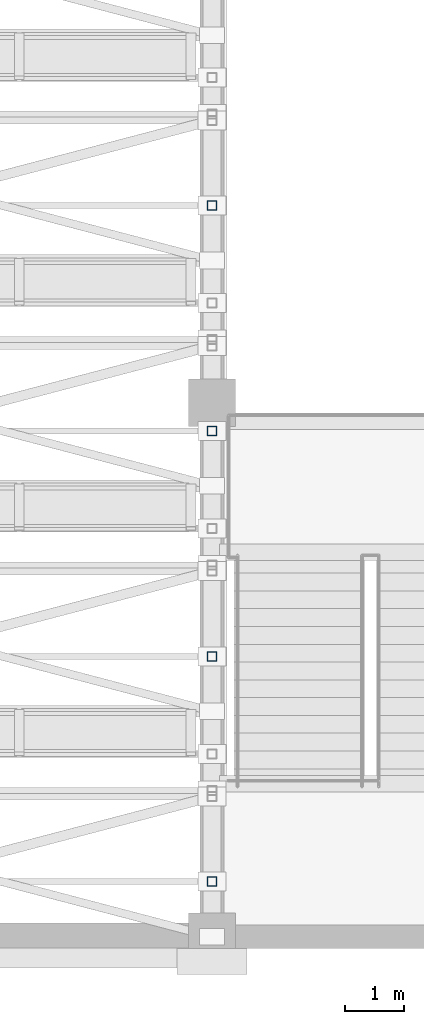
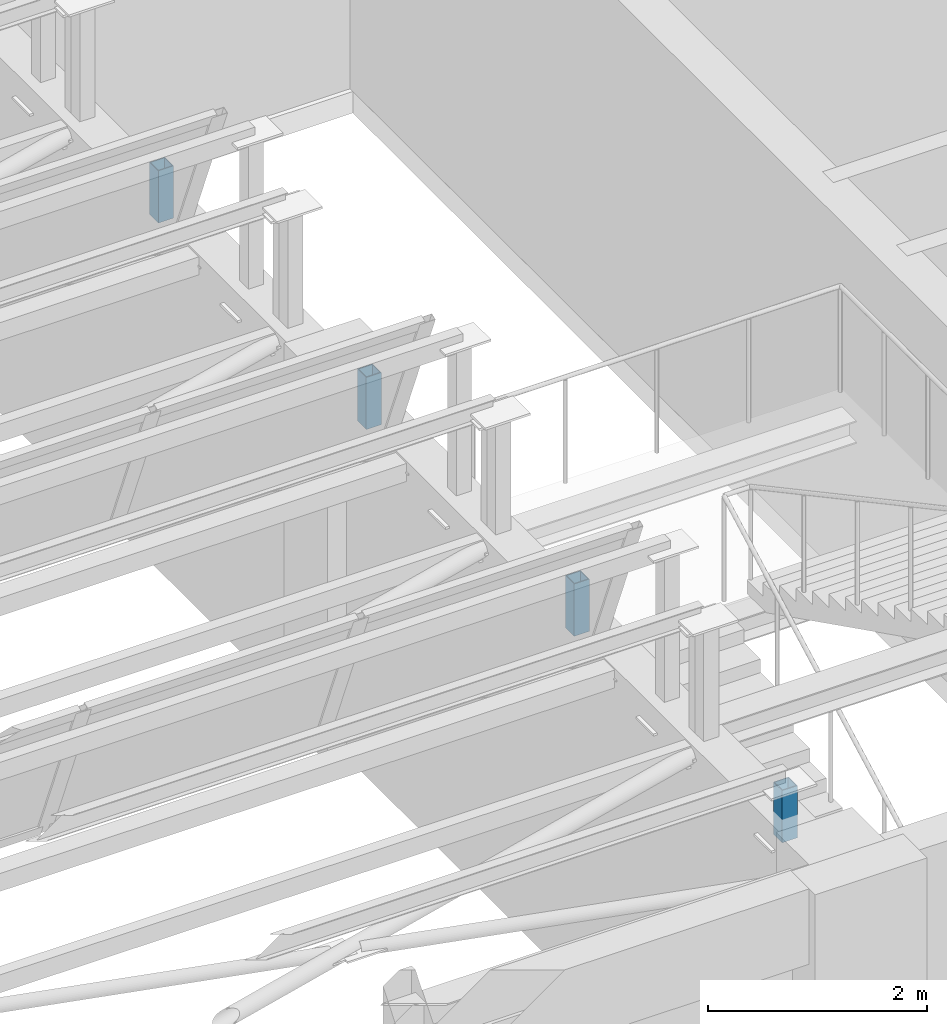
# One storey, part 75 of 108: 4 members.
"""IFC4 building model written with IfcOpenShell, lengths in metres."""

from ifc_helpers import new_model, si_unit, direction, frame, origin, origin_2d, place, context, subcontext, project, spatial, hollow_rectangle, extrude, material, material_profile, profile_set, type_object, element, save


model = new_model("IFC4")

# Units and contexts
model_context = context("Model", 3, precision=1e-05, world=origin(), true_north=direction((0.0, 1.0)))
body_context = subcontext(model_context, "Body", "Model", "MODEL_VIEW")
ifc_project = project(units=[si_unit("LENGTHUNIT", "METRE"), si_unit("AREAUNIT", "SQUARE_METRE"), si_unit("VOLUMEUNIT", "CUBIC_METRE"), si_unit("PLANEANGLEUNIT", "RADIAN"), si_unit("MASSUNIT", "GRAM", prefix="KILO")], contexts=[model_context])

# Site, building, storey
site_placement = place(None, origin())
site = spatial("IfcSite", under=ifc_project, at=site_placement, CompositionType="ELEMENT")
building_placement = place(site_placement, origin())
building = spatial("IfcBuilding", under=site, at=building_placement, Name="Lykobir Media Centre", CompositionType="ELEMENT")
storey_placement = place(building_placement, frame((0.0, 0.0, 15.0)))
storey = spatial("IfcBuildingStorey", under=building, at=storey_placement, Name="L03", CompositionType="ELEMENT", Elevation=15.0)

# Members
ifc_material = material(Name="Steel S355", Category="steel")
ifc_material_profile = material_profile(ifc_material, hollow_rectangle(XDim=0.159912109375, YDim=0.159912109375, WallThickness=0.008056640625, at=origin_2d()), Name="SHS 160x160x8")
ifc_profile_set = profile_set([ifc_material_profile], Name="Steel S355")
member_type = type_object("IfcMemberType", Name="BR-SHS160", PredefinedType="BRACE", material=ifc_profile_set)
for number, where, z_axis, x_axis, name in (
    (1, (27.0, 0.92724609375, 3.699951171875), (0.0, 0.0, 1.0), (1.0, 0.0, 0.0), "Diagonal brace MEM2-L03-0270-0009-0187-0270-0009-0158"),
    (2, (27.0, 4.727294921875, 3.699951171875), (0.0, 0.0, 1.0), (1.0, 0.0, 0.0), "Diagonal brace MEM2-L03-0270-0047-0187-0270-0047-0178"),
    (3, (27.0, 8.52734375, 3.699951171875), (0.0, 0.0, 1.0), (1.0, 0.0, 0.0), "Diagonal brace MEM2-L03-0270-0085-0187-0270-0085-0198"),
    (4, (27.0, 12.327392578125, 3.699951171875), (0.0, 0.0, 1.0), (1.0, 0.0, 0.0), "Diagonal brace MEM2-L03-0270-0123-0187-0270-0123-0218"),
):
    element("IfcMember", number, at=place(storey_placement, frame(where, z_axis=z_axis, x_axis=x_axis)), inside=storey, type_object=member_type, Name=name, PredefinedType="BRACE", context=body_context, shape_type="SweptSolid", body=[
        extrude(hollow_rectangle(XDim=0.159912109375, YDim=0.159912109375, WallThickness=0.008056640625, at=origin_2d()), origin(), (0.0, 0.0, 1.0), 0.582763671875),
    ])

save(model, "model.ifc")
